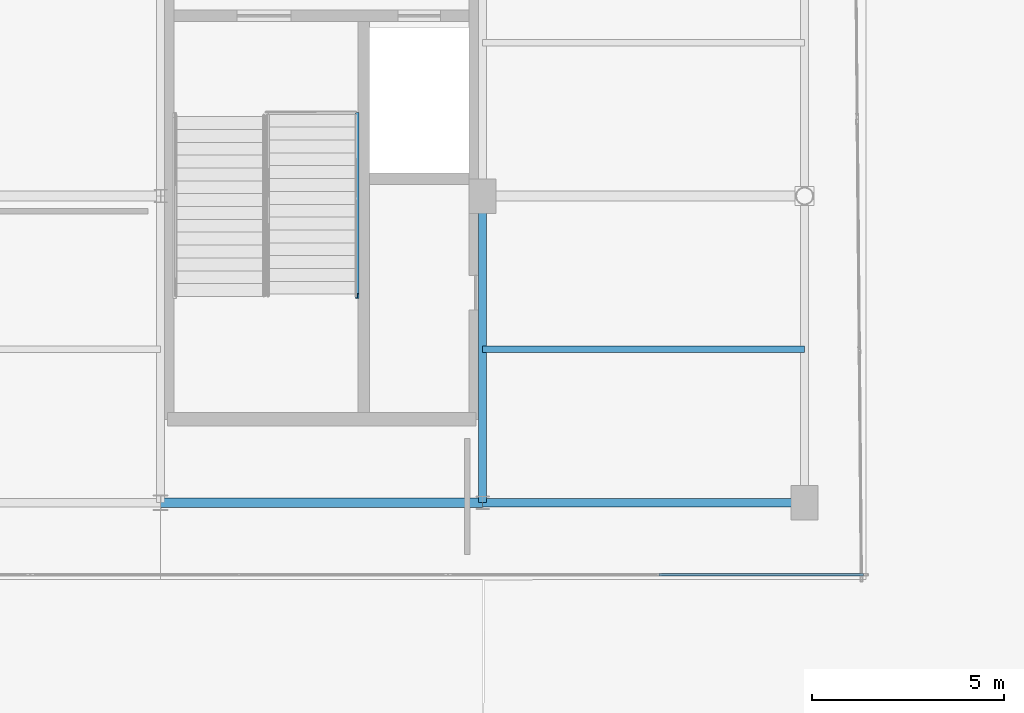
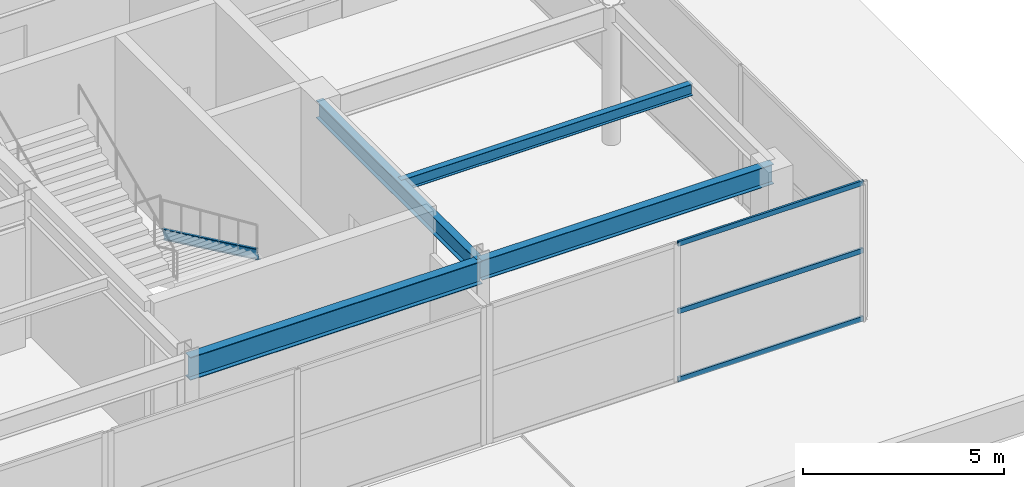
# One storey, part 44 of 107: 4 beams, 4 members, 1 element without a shape of its own.
"""IFC4 building model written with IfcOpenShell, lengths in metres."""

from ifc_helpers import new_model, si_unit, direction, frame, origin, origin_2d, place, context, subcontext, project, spatial, hollow_rectangle, i_section, extrude, material, layer, layer_set, material_profile, profile_set, type_object, element, aggregate, save


model = new_model("IFC4")

# Units and contexts
model_context = context("Model", 3, precision=1e-05, world=origin(), true_north=direction((0.0, 1.0)))
body_context = subcontext(model_context, "Body", "Model", "MODEL_VIEW")
ifc_project = project(units=[si_unit("LENGTHUNIT", "METRE"), si_unit("AREAUNIT", "SQUARE_METRE"), si_unit("VOLUMEUNIT", "CUBIC_METRE"), si_unit("PLANEANGLEUNIT", "RADIAN"), si_unit("MASSUNIT", "GRAM", prefix="KILO")], contexts=[model_context])

# Site, building, storey
site_placement = place(None, origin())
site = spatial("IfcSite", under=ifc_project, at=site_placement, CompositionType="ELEMENT")
building_placement = place(site_placement, origin())
building = spatial("IfcBuilding", under=site, at=building_placement, Name="Kalgoora Escarpment Arena", CompositionType="ELEMENT")
storey_placement = place(building_placement, frame((0.0, 0.0, 5.39990234375)))
storey = spatial("IfcBuildingStorey", under=building, at=storey_placement, Name="L01", CompositionType="ELEMENT", Elevation=5.39990234375)

# Beams
ifc_material_1 = material(Name="Structural steel AS/NZS 3679 (300 MPa)", Category="steel")
ifc_material_profile_1 = material_profile(ifc_material_1, i_section(OverallWidth=0.208984375, OverallDepth=0.532958984375, WebThickness=0.01025390625, FlangeThickness=0.015625, at=origin_2d()))
ifc_profile_set_1 = profile_set([ifc_material_profile_1], Name="Structural steel AS/NZS 3679 (300 MPa)")
beam_type_1 = type_object("IfcBeamType", Name="BM-GIRDER-530UB92.4", PredefinedType="USERDEFINED", material=ifc_profile_set_1)
beam_1_placement = place(storey_placement, frame((168.0, 8.0, 3.93359375), z_axis=(0.0, 1.0, 0.0), x_axis=(-1.0, 0.0, 0.0)))
element("IfcBeam", 1, at=beam_1_placement, inside=storey, type_object=beam_type_1, Name="L01 Floor girder 530UB92.4", ObjectType="GIRDER", PredefinedType="USERDEFINED", context=body_context, shape_type="SweptSolid", body=[
    extrude(i_section(OverallWidth=0.208984375, OverallDepth=0.532958984375, WebThickness=0.01025390625, FlangeThickness=0.015625, at=origin_2d()), origin(), (0.0, 0.0, 1.0), 8.0),
])
ifc_material_2 = material(Name="Structural steel AS/NZS 3679 (300 MPa)", Category="steel")
ifc_material_profile_2 = material_profile(ifc_material_2, i_section(OverallWidth=0.22802734375, OverallDepth=0.60205078125, WebThickness=0.010498046875, FlangeThickness=0.014892578125, at=origin_2d()))
ifc_profile_set_2 = profile_set([ifc_material_profile_2], Name="Structural steel AS/NZS 3679 (300 MPa)")
beam_type_2 = type_object("IfcBeamType", Name="BM-GIRDER-610UB101", PredefinedType="USERDEFINED", material=ifc_profile_set_2)
beam_2_placement = place(storey_placement, frame((168.0, 8.0, 3.899169921875), z_axis=(1.0, 0.0, 0.0), x_axis=(0.0, 1.0, 0.0)))
element("IfcBeam", 2, at=beam_2_placement, inside=storey, type_object=beam_type_2, Name="L01 Floor girder 610UB101", ObjectType="GIRDER", PredefinedType="USERDEFINED", context=body_context, shape_type="SweptSolid", body=[
    extrude(i_section(OverallWidth=0.22802734375, OverallDepth=0.60205078125, WebThickness=0.010498046875, FlangeThickness=0.014892578125, at=origin_2d()), origin(), (0.0, 0.0, 1.0), 8.39990234375),
])
ifc_material_3 = material(Name="Structural steel AS/NZS 3679 (300 MPa)", Category="steel")
ifc_material_profile_3 = material_profile(ifc_material_3, i_section(OverallWidth=0.25, OverallDepth=0.699951171875, WebThickness=0.010009765625, FlangeThickness=0.02001953125, at=origin_2d()))
ifc_profile_set_3 = profile_set([ifc_material_profile_3], Name="Structural steel AS/NZS 3679 (300 MPa)")
beam_type_3 = type_object("IfcBeamType", Name="BM-GIRDER-700WB130", PredefinedType="USERDEFINED", material=ifc_profile_set_3)
beam_3_placement = place(storey_placement, frame((159.60009765625, 8.0, 3.85009765625), z_axis=(1.0, 0.0, 0.0), x_axis=(0.0, 1.0, 0.0)))
element("IfcBeam", 3, at=beam_3_placement, inside=storey, type_object=beam_type_3, Name="L01 Floor girder 700WB130", ObjectType="GIRDER", PredefinedType="USERDEFINED", context=body_context, shape_type="SweptSolid", body=[
    extrude(i_section(OverallWidth=0.25, OverallDepth=0.699951171875, WebThickness=0.010009765625, FlangeThickness=0.02001953125, at=origin_2d()), origin(), (0.0, 0.0, 1.0), 8.39990234375),
])
ifc_material_4 = material(Name="Structural steel AS/NZS 3679 (300 MPa)", Category="steel")
ifc_material_profile_4 = material_profile(ifc_material_4, i_section(OverallWidth=0.1708984375, OverallDepth=0.35205078125, WebThickness=0.0068359375, FlangeThickness=0.009765625, at=origin_2d()))
ifc_profile_set_4 = profile_set([ifc_material_profile_4], Name="Structural steel AS/NZS 3679 (300 MPa)")
beam_type_4 = type_object("IfcBeamType", Name="BM-JOIST-360UB44.7", PredefinedType="JOIST", material=ifc_profile_set_4)
beam_4_placement = place(storey_placement, frame((168.0, 12.0, 4.024169921875), z_axis=(1.0, 0.0, 0.0), x_axis=(0.0, 1.0, 0.0)))
element("IfcBeam", 4, at=beam_4_placement, inside=storey, type_object=beam_type_4, Name="L01 Secondary composite floor joist 360UB44.7", PredefinedType="JOIST", context=body_context, shape_type="SweptSolid", body=[
    extrude(i_section(OverallWidth=0.1708984375, OverallDepth=0.35205078125, WebThickness=0.0068359375, FlangeThickness=0.009765625, at=origin_2d()), origin(), (0.0, 0.0, 1.0), 8.39990234375),
])

# Curtain wall, members
ifc_material_5 = material(Name=" Champagne anodised aluminium & double-glazed low-E", Category="aluminium")
ifc_layer = layer(ifc_material_5, 0.157958984375)
ifc_layer_set = layer_set([ifc_layer], Name="CW-UNIT-02")
curtain_wall_type = type_object("IfcCurtainWallType", Name="CW-UNIT-02", PredefinedType="NOTDEFINED", material=ifc_layer_set)
curtain_wall_placement = place(storey_placement, origin())
curtain_wall = element("IfcCurtainWall", 5, at=curtain_wall_placement, inside=storey, type_object=curtain_wall_type, Name="L01 unitised facade curtain wall 001", PredefinedType="NOTDEFINED")
ifc_material_6 = material(Name="Anodised aluminium 6063-T6", Category="aluminium")
ifc_material_profile_5 = material_profile(ifc_material_6, hollow_rectangle(XDim=0.06005859375, YDim=0.14990234375, WallThickness=0.00341796875, at=origin_2d()))
ifc_profile_set_5 = profile_set([ifc_material_profile_5], Name="Anodised aluminium 6063-T6")
member_type_1 = type_object("IfcMemberType", Name="MEM-CW-TRAN-150", PredefinedType="USERDEFINED", material=ifc_profile_set_5)
member_1_placement = place(storey_placement, frame((177.93505859375, 6.1201171875, 0.050048828125), z_axis=(-1.0, 0.0, 0.0), x_axis=(0.0, -1.0, 0.0)))
member_1 = element("IfcMember", 6, at=member_1_placement, type_object=member_type_1, Name="CW-02 transom 1.1", ObjectType="TRANSOM", PredefinedType="USERDEFINED", context=body_context, shape_type="SweptSolid", body=[
    extrude(hollow_rectangle(XDim=0.06005859375, YDim=0.14990234375, WallThickness=0.00341796875, at=origin_2d()), origin(), (0.0, 0.0, 1.0), 5.32763671875),
])
member_2_placement = place(storey_placement, frame((177.93505859375, 6.1201171875, 2.125), z_axis=(-1.0, 0.0, 0.0), x_axis=(0.0, -1.0, 0.0)))
member_2 = element("IfcMember", 7, at=member_2_placement, type_object=member_type_1, Name="CW-02 transom 1.2", ObjectType="TRANSOM", PredefinedType="USERDEFINED", context=body_context, shape_type="SweptSolid", body=[
    extrude(hollow_rectangle(XDim=0.06005859375, YDim=0.14990234375, WallThickness=0.00341796875, at=origin_2d()), origin(), (0.0, 0.0, 1.0), 5.32763671875),
])
member_3_placement = place(storey_placement, frame((177.93505859375, 6.1201171875, 4.18017578125), z_axis=(-1.0, 0.0, 0.0), x_axis=(0.0, -1.0, 0.0)))
member_3 = element("IfcMember", 8, at=member_3_placement, type_object=member_type_1, Name="CW-02 transom 1.3", ObjectType="TRANSOM", PredefinedType="USERDEFINED", context=body_context, shape_type="SweptSolid", body=[
    extrude(hollow_rectangle(XDim=0.06005859375, YDim=0.14990234375, WallThickness=0.00341796875, at=origin_2d()), origin(), (0.0, 0.0, 1.0), 5.32763671875),
])
aggregate(curtain_wall, [member_1, member_2, member_3])

# Member
ifc_material_7 = material(Name="Structural steel AS/NZS 3679 (300 MPa)", Category="steel")
ifc_material_profile_6 = material_profile(ifc_material_7, i_section(OverallWidth=0.090087890625, OverallDepth=0.300048828125, WebThickness=0.008056640625, FlangeThickness=0.01611328125, at=origin_2d()))
ifc_profile_set_6 = profile_set([ifc_material_profile_6], Name="Structural steel AS/NZS 3679 (300 MPa)")
member_type_2 = type_object("IfcMemberType", Name="MEM-STRINGER-PFC", PredefinedType="STRINGER", material=ifc_profile_set_6)
member_4_placement = place(storey_placement, frame((164.72998046875, 18.110107421875, -0.039794921875), z_axis=(0.0, -0.902691297253, 0.430288765671), x_axis=(1.0, 0.0, 0.0)))
element("IfcMember", 9, at=member_4_placement, inside=storey, type_object=member_type_2, Name="ST08 L01 steel stair stringer 1", PredefinedType="STRINGER", context=body_context, shape_type="SweptSolid", body=[
    extrude(i_section(OverallWidth=0.090087890625, OverallDepth=0.300048828125, WebThickness=0.008056640625, FlangeThickness=0.01611328125, at=origin_2d()), origin(), (0.0, 0.0, 1.0), 5.22900390625),
])

save(model, "model.ifc")
